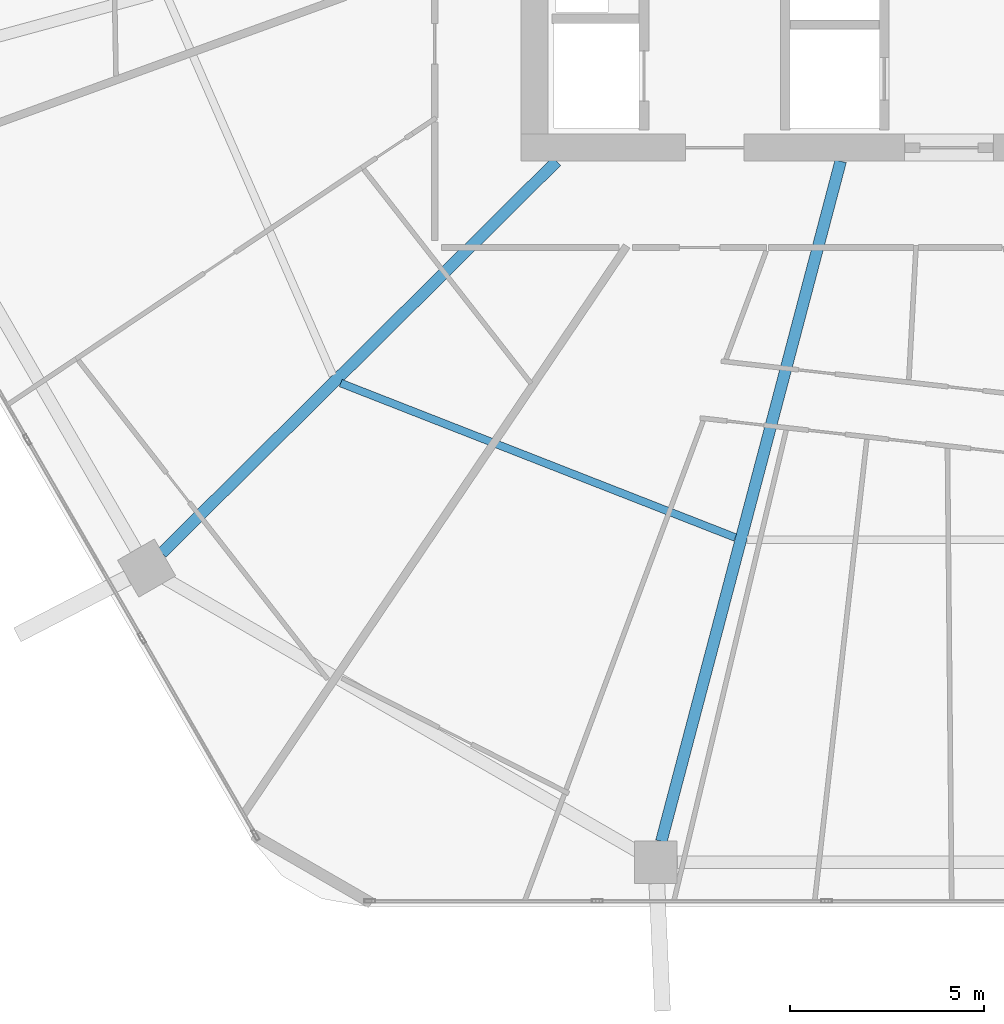
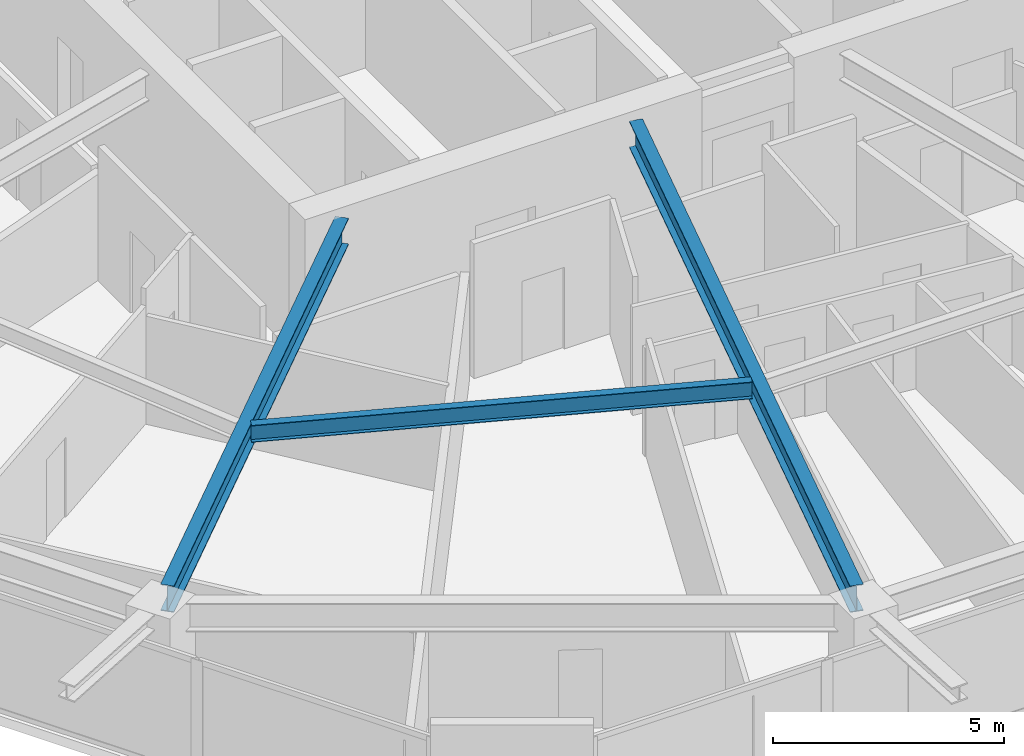
# One storey, part 4 of 33: 3 beams.
"""IFC4 building model written with IfcOpenShell, lengths in metres."""

from ifc_helpers import new_model, si_unit, direction, frame, origin, origin_2d, place, context, subcontext, project, spatial, i_section, extrude, material, material_profile, profile_set, type_object, element, save


model = new_model("IFC4")

# Units and contexts
model_context = context("Model", 3, precision=1e-05, world=origin(), true_north=direction((0.0, 1.0)))
body_context = subcontext(model_context, "Body", "Model", "MODEL_VIEW")
ifc_project = project(units=[si_unit("LENGTHUNIT", "METRE"), si_unit("AREAUNIT", "SQUARE_METRE"), si_unit("VOLUMEUNIT", "CUBIC_METRE"), si_unit("PLANEANGLEUNIT", "RADIAN"), si_unit("MASSUNIT", "GRAM", prefix="KILO")], contexts=[model_context])

# Site, building, storey
site_placement = place(None, origin())
site = spatial("IfcSite", under=ifc_project, at=site_placement, CompositionType="ELEMENT")
building_placement = place(site_placement, origin())
building = spatial("IfcBuilding", under=site, at=building_placement, Name="Zuhravey Tower", CompositionType="ELEMENT")
storey_placement = place(building_placement, frame((0.0, 0.0, 96.199951171875)))
storey = spatial("IfcBuildingStorey", under=building, at=storey_placement, Name="L23", CompositionType="ELEMENT", Elevation=96.199951171875)

# Beams
ifc_material = material(Name="Steel SM355", Category="steel")
ifc_material_profile_1 = material_profile(ifc_material, i_section(OverallWidth=0.300048828125, OverallDepth=0.699951171875, WebThickness=0.012939453125, FlangeThickness=0.02392578125, at=origin_2d()), Name="H-700x300x13x24")
ifc_profile_set_1 = profile_set([ifc_material_profile_1], Name="Steel SM355")
beam_type_1 = type_object("IfcBeamType", Name="Radial Primary Girder H700x300", PredefinedType="BEAM", material=ifc_profile_set_1)
beam_1_placement = place(storey_placement, frame((26.068603515625, 22.14697265625, 3.199951171875), z_axis=(-0.709906230344, -0.704296204816, 0.0), x_axis=(0.704296204816, -0.709906230344, 0.0)))
element("IfcBeam", 1, at=beam_1_placement, inside=storey, type_object=beam_type_1, Name="L23 RG1 BM-L23-RAD-08", PredefinedType="BEAM", context=body_context, shape_type="SweptSolid", body=[
    extrude(i_section(OverallWidth=0.300048828125, OverallDepth=0.699951171875, WebThickness=0.012939453125, FlangeThickness=0.02392578125, at=origin_2d()), origin(), (0.0, 0.0, 1.0), 14.361083984375),
])
beam_2_placement = place(storey_placement, frame((33.40185546875, 22.14697265625, 3.199951171875), z_axis=(-0.25498755891, -0.966944333869, 0.0), x_axis=(0.966944333869, -0.25498755891, 0.0)))
element("IfcBeam", 2, at=beam_2_placement, inside=storey, type_object=beam_type_1, Name="L23 RG1 BM-L23-RAD-09", PredefinedType="BEAM", context=body_context, shape_type="SweptSolid", body=[
    extrude(i_section(OverallWidth=0.300048828125, OverallDepth=0.699951171875, WebThickness=0.012939453125, FlangeThickness=0.02392578125, at=origin_2d()), origin(), (0.0, 0.0, 1.0), 18.1611328125),
])
ifc_material_profile_2 = material_profile(ifc_material, i_section(OverallWidth=0.199951171875, OverallDepth=0.449951171875, WebThickness=0.009033203125, FlangeThickness=0.013916015625, at=origin_2d()), Name="H-450x200x9x14")
ifc_profile_set_2 = profile_set([ifc_material_profile_2], Name="Steel SM355")
beam_type_2 = type_object("IfcBeamType", Name="Secondary Floor Joist H450x200", PredefinedType="JOIST", material=ifc_profile_set_2)
beam_3_placement = place(storey_placement, frame((20.49462890625, 16.418701171875, 3.324951171875), z_axis=(0.931216764731, -0.364465824302, 0.0), x_axis=(0.364465824302, 0.931216764731, 0.0)))
element("IfcBeam", 3, at=beam_3_placement, inside=storey, type_object=beam_type_2, Name="L23 SJ1 BM-L23-SJ-08-1", PredefinedType="JOIST", context=body_context, shape_type="SweptSolid", body=[
    extrude(i_section(OverallWidth=0.199951171875, OverallDepth=0.449951171875, WebThickness=0.009033203125, FlangeThickness=0.013916015625, at=origin_2d()), origin(), (0.0, 0.0, 1.0), 10.939453125),
])

save(model, "model.ifc")
